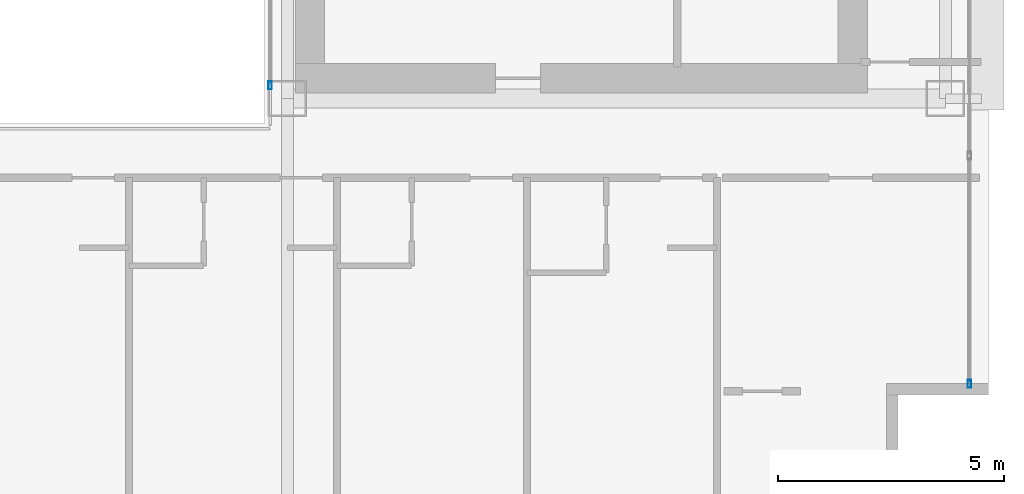
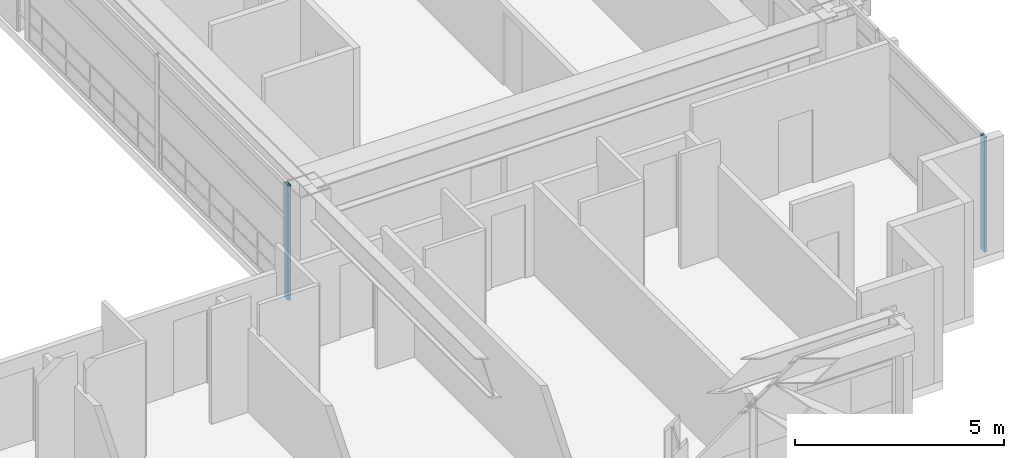
# One storey, part 12 of 39: 2 members, 2 elements without a shape of their own.
"""IFC4 building model written with IfcOpenShell, lengths in metres."""

from ifc_helpers import new_model, si_unit, direction, frame, origin, origin_2d, place, context, subcontext, project, spatial, hollow_rectangle, extrude, source, transform, mapped, material, layer, layer_set, material_profile, profile_set, type_object, element, aggregate, save


model = new_model("IFC4")

# Units and contexts
model_context = context("Model", 3, precision=1e-05, world=origin(), true_north=direction((0.0, 1.0)))
body_context = subcontext(model_context, "Body", "Model", "MODEL_VIEW")
ifc_project = project(units=[si_unit("LENGTHUNIT", "METRE"), si_unit("AREAUNIT", "SQUARE_METRE"), si_unit("VOLUMEUNIT", "CUBIC_METRE"), si_unit("PLANEANGLEUNIT", "RADIAN"), si_unit("MASSUNIT", "GRAM", prefix="KILO")], contexts=[model_context])

# Site, building, storey
site_placement = place(None, origin())
site = spatial("IfcSite", under=ifc_project, at=site_placement, CompositionType="ELEMENT")
building_placement = place(site_placement, origin())
building = spatial("IfcBuilding", under=site, at=building_placement, Name="Ocotamira Hotel", CompositionType="ELEMENT")
storey_placement = place(building_placement, frame((0.0, 0.0, 104.39990234375)))
storey = spatial("IfcBuildingStorey", under=building, at=storey_placement, Name="L25", CompositionType="ELEMENT", Elevation=104.39990234375)

# Curtain wall, member
ifc_material_1 = material(Name="Anodised pale-metal aluminium and solar glass", Category="aluminium")
ifc_layer_1 = layer(ifc_material_1, 0.179931640625)
ifc_layer_set_1 = layer_set([ifc_layer_1], Name="Anodised pale-metal aluminium and solar glass")
curtain_wall_type_1 = type_object("IfcCurtainWallType", Name="CW-SYS3-Z2", PredefinedType="NOTDEFINED", material=ifc_layer_set_1)
curtain_wall_1_placement = place(storey_placement, origin())
curtain_wall_1 = element("IfcCurtainWall", 1, at=curtain_wall_1_placement, inside=storey, type_object=curtain_wall_type_1, Name="L25 Curtain Wall CW-3 CW-L25-E", PredefinedType="NOTDEFINED")
ifc_material_2 = material(Name="Anodised pale-metal aluminium 6063-T6", Category="aluminium")
ifc_material_profile = material_profile(ifc_material_2, hollow_rectangle(XDim=0.080078125, YDim=0.179931640625, WallThickness=0.006103515625, at=origin_2d()), Name="HSS180X80X6")
ifc_profile_set = profile_set([ifc_material_profile], Name="Anodised pale-metal aluminium 6063-T6")
member_type = type_object("IfcMemberType", Name="CWM-180X75", PredefinedType="MULLION", material=ifc_profile_set)
shared_shape = source(origin(), body_context, "Body", "SweptSolid", [
    extrude(hollow_rectangle(XDim=0.080078125, YDim=0.179931640625, WallThickness=0.006103515625, at=origin_2d()), origin(), (0.0, 0.0, 1.0), 3.360107421875),
])
member_1_placement = place(storey_placement, frame((55.580078125, 8.239990234375, 0.0), z_axis=(0.0, 0.0, 1.0), x_axis=(-1.0, 0.0, 0.0)))
member_1 = element("IfcMember", 2, at=member_1_placement, type_object=member_type, Name="CW-3 mullion 1", PredefinedType="MULLION", context=body_context, shape_type="MappedRepresentation", body=[
    mapped(shared_shape, transform((0.0, 0.0, 0.0), scale=1.0)),
])
aggregate(curtain_wall_1, [member_1])

ifc_layer_2 = layer(ifc_material_1, 0.159912109375)
ifc_layer_set_2 = layer_set([ifc_layer_2], Name="Anodised pale-metal aluminium and solar glass")
curtain_wall_type_2 = type_object("IfcCurtainWallType", Name="CW-SYS6-ATR", PredefinedType="NOTDEFINED", material=ifc_layer_set_2)
curtain_wall_2_placement = place(storey_placement, origin())
curtain_wall_2 = element("IfcCurtainWall", 3, at=curtain_wall_2_placement, inside=storey, type_object=curtain_wall_type_2, Name="L25 Curtain Wall CW-6 CW-L25-ATRE1", PredefinedType="NOTDEFINED")
member_2_placement = place(storey_placement, frame((40.1201171875, 14.840087890625, 0.0), z_axis=(0.0, 0.0, 1.0), x_axis=(-1.0, 0.0, 0.0)))
member_2 = element("IfcMember", 4, at=member_2_placement, type_object=member_type, Name="CW-6 mullion 1", PredefinedType="MULLION", context=body_context, shape_type="MappedRepresentation", body=[
    mapped(shared_shape, transform((0.0, 0.0, 0.0), scale=1.0)),
])
aggregate(curtain_wall_2, [member_2])

save(model, "model.ifc")
